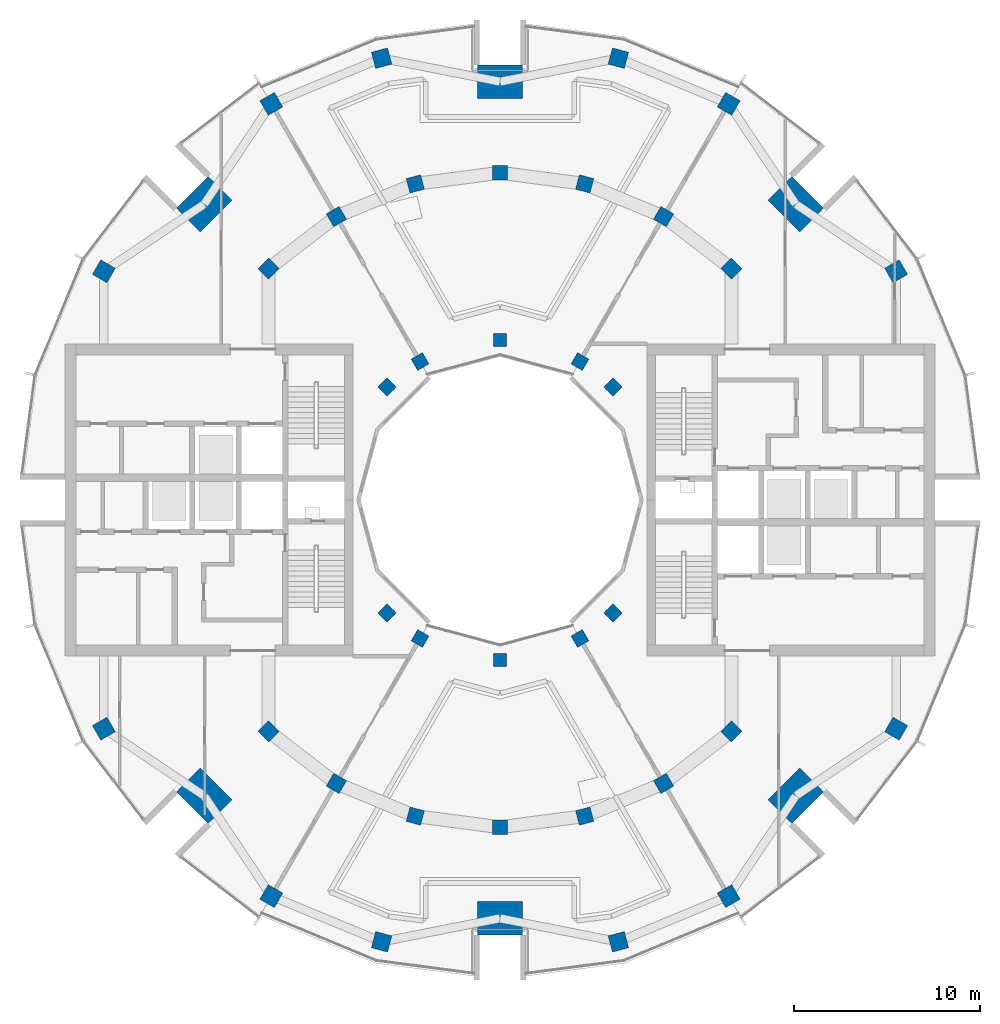
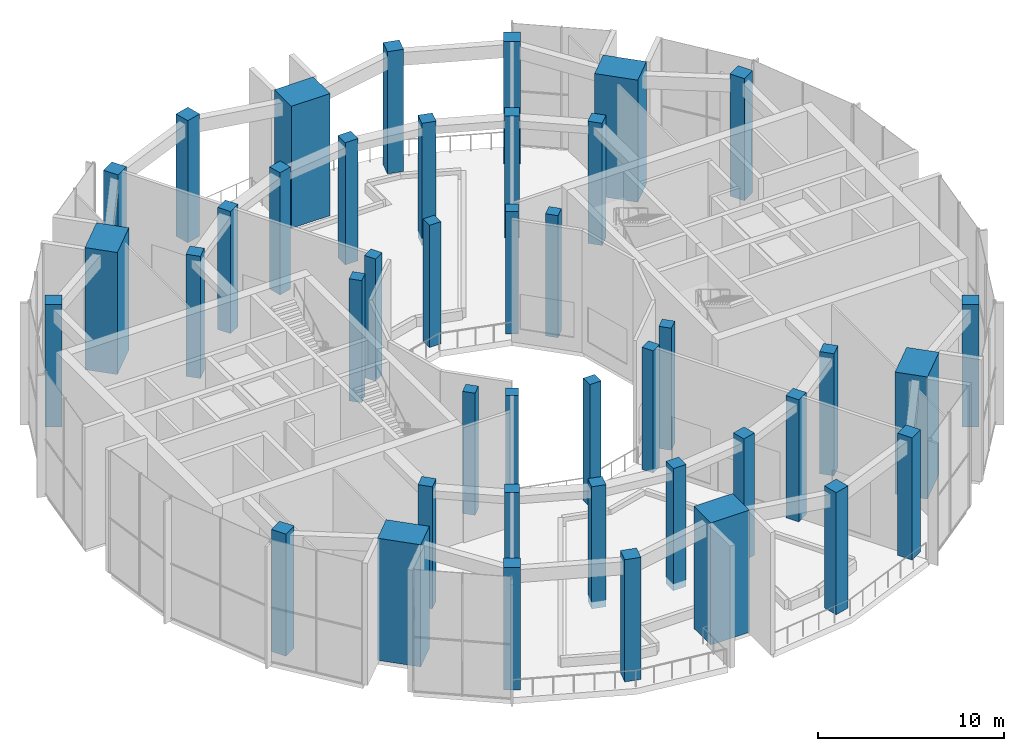
# One storey, part 1 of 18: 42 columns.
"""IFC4 building model written with IfcOpenShell, lengths in metres."""

from ifc_helpers import new_model, si_unit, direction, frame, origin, origin_2d, place, context, subcontext, project, spatial, rectangle, extrude, material, material_profile, profile_set, type_object, element, save


model = new_model("IFC4")

# Units and contexts
model_context = context("Model", 3, precision=1e-05, world=origin(), true_north=direction((0.0, 1.0)))
body_context = subcontext(model_context, "Body", "Model", "MODEL_VIEW")
ifc_project = project(units=[si_unit("LENGTHUNIT", "METRE"), si_unit("AREAUNIT", "SQUARE_METRE"), si_unit("VOLUMEUNIT", "CUBIC_METRE"), si_unit("PLANEANGLEUNIT", "RADIAN"), si_unit("MASSUNIT", "GRAM", prefix="KILO")], contexts=[model_context])

# Site, building, storey
site_placement = place(None, origin())
site = spatial("IfcSite", under=ifc_project, at=site_placement, CompositionType="ELEMENT")
building_placement = place(site_placement, origin())
building = spatial("IfcBuilding", under=site, at=building_placement, Name="Torre Brocal", CompositionType="ELEMENT")
storey_placement = place(building_placement, frame((0.0, 0.0, 229.300048828125)))
storey = spatial("IfcBuildingStorey", under=building, at=storey_placement, Name="L53", CompositionType="ELEMENT", Elevation=229.300048828125)

# Columns
ifc_material_1 = material(Name="Concrete C60", Category="concrete")
ifc_material_profile_1 = material_profile(ifc_material_1, rectangle(XDim=1.800048828125, YDim=2.39990234375, at=origin_2d()), Name="RC 1800X2400")
ifc_profile_set_1 = profile_set([ifc_material_profile_1], Name="Concrete C60")
column_type_1 = type_object("IfcColumnType", Name="RC COLUMN 1800X2400 C60", PredefinedType="COLUMN", material=ifc_profile_set_1)
for number, where, z_axis, x_axis, name in (
    (1, (95.909912109375, 90.909912109375, 0.0), (0.0, 0.0, 1.0), (0.707106781187, 0.707106781187, 0.0), "Column MC-1"),
    (2, (80.0, 97.5, 0.0), (0.0, 0.0, 1.0), (0.0, 1.0, 0.0), "Column MC-2"),
    (3, (64.090087890625, 90.909912109375, 0.0), (0.0, 0.0, 1.0), (-0.707106781187, 0.707106781187, 0.0), "Column MC-3"),
    (4, (64.090087890625, 59.090087890625, 0.0), (0.0, 0.0, 1.0), (-0.707106781187, -0.707106781187, 0.0), "Column MC-5"),
    (5, (80.0, 52.5, 0.0), (0.0, 0.0, 1.0), (0.0, -1.0, 0.0), "Column MC-6"),
    (6, (95.909912109375, 59.090087890625, 0.0), (0.0, 0.0, 1.0), (0.707106781187, -0.707106781187, 0.0), "Column MC-7"),
):
    element("IfcColumn", number, at=place(storey_placement, frame(where, z_axis=z_axis, x_axis=x_axis)), inside=storey, type_object=column_type_1, Name=name, PredefinedType="COLUMN", context=body_context, shape_type="SweptSolid", body=[
        extrude(rectangle(XDim=1.800048828125, YDim=2.39990234375, at=origin_2d()), origin(), (0.0, 0.0, 1.0), 8.0),
    ])
ifc_material_2 = material(Name="Concrete C60", Category="concrete")
ifc_material_profile_2 = material_profile(ifc_material_2, rectangle(XDim=0.699951171875, YDim=0.699951171875, at=origin_2d()), Name="RC 700X700")
ifc_profile_set_2 = profile_set([ifc_material_profile_2], Name="Concrete C60")
column_type_2 = type_object("IfcColumnType", Name="RC COLUMN 700X700 C60", PredefinedType="COLUMN", material=ifc_profile_set_2)
for number, where, z_axis, x_axis, name in (
    (7, (86.0810546875, 81.0810546875, 0.0), (0.0, 0.0, 1.0), (0.707106781187, 0.707106781187, 0.0), "Column C-I03"),
    (8, (84.300048828125, 82.44775390625, 0.0), (0.0, 0.0, 1.0), (0.5, 0.866025403784, 0.0), "Column C-I04"),
    (9, (80.0, 83.60009765625, 0.0), (0.0, 0.0, 1.0), (0.0, 1.0, 0.0), "Column C-I06"),
    (10, (75.699951171875, 82.44775390625, 0.0), (0.0, 0.0, 1.0), (-0.5, 0.866025403784, 0.0), "Column C-I08"),
    (11, (73.9189453125, 81.0810546875, 0.0), (0.0, 0.0, 1.0), (-0.707106781187, 0.707106781187, 0.0), "Column C-I09"),
    (12, (73.9189453125, 68.9189453125, 0.0), (0.0, 0.0, 1.0), (-0.707106781187, -0.707106781187, 0.0), "Column C-I15"),
    (13, (75.699951171875, 67.55224609375, 0.0), (0.0, 0.0, 1.0), (-0.5, -0.866025403784, 0.0), "Column C-I16"),
    (14, (80.0, 66.39990234375, 0.0), (0.0, 0.0, 1.0), (0.0, -1.0, 0.0), "Column C-I18"),
    (15, (84.300048828125, 67.55224609375, 0.0), (0.0, 0.0, 1.0), (0.5, -0.866025403784, 0.0), "Column C-I20"),
    (16, (86.0810546875, 68.9189453125, 0.0), (0.0, 0.0, 1.0), (0.707106781187, -0.707106781187, 0.0), "Column C-I21"),
):
    element("IfcColumn", number, at=place(storey_placement, frame(where, z_axis=z_axis, x_axis=x_axis)), inside=storey, type_object=column_type_2, Name=name, PredefinedType="COLUMN", context=body_context, shape_type="SweptSolid", body=[
        extrude(rectangle(XDim=0.699951171875, YDim=0.699951171875, at=origin_2d()), origin(), (0.0, 0.0, 1.0), 8.0),
    ])
ifc_material_3 = material(Name="Concrete C60", Category="concrete")
ifc_material_profile_3 = material_profile(ifc_material_3, rectangle(XDim=0.800048828125, YDim=0.800048828125, at=origin_2d()), Name="RC 800X800")
ifc_profile_set_3 = profile_set([ifc_material_profile_3], Name="Concrete C60")
column_type_3 = type_object("IfcColumnType", Name="RC COLUMN 800X800 C60", PredefinedType="COLUMN", material=ifc_profile_set_3)
for number, where, z_axis, x_axis, name in (
    (17, (92.445068359375, 87.445068359375, 0.0), (0.0, 0.0, 1.0), (0.707106781187, 0.707106781187, 0.0), "Column C-M03"),
    (18, (88.800048828125, 90.241943359375, 0.0), (0.0, 0.0, 1.0), (0.5, 0.866025403784, 0.0), "Column C-M04"),
    (19, (84.55517578125, 92.000244140625, 0.0), (0.0, 0.0, 1.0), (0.258819045103, 0.965925826289, 0.0), "Column C-M05"),
    (20, (80.0, 92.60009765625, 0.0), (0.0, 0.0, 1.0), (0.0, 1.0, 0.0), "Column C-M06"),
    (21, (75.44482421875, 92.000244140625, 0.0), (0.0, 0.0, 1.0), (-0.258819045103, 0.965925826289, 0.0), "Column C-M07"),
    (22, (71.199951171875, 90.241943359375, 0.0), (0.0, 0.0, 1.0), (-0.5, 0.866025403784, 0.0), "Column C-M08"),
    (23, (67.554931640625, 87.445068359375, 0.0), (0.0, 0.0, 1.0), (-0.707106781187, 0.707106781187, 0.0), "Column C-M09"),
    (24, (67.554931640625, 62.554931640625, 0.0), (0.0, 0.0, 1.0), (-0.707106781187, -0.707106781187, 0.0), "Column C-M15"),
    (25, (71.199951171875, 59.758056640625, 0.0), (0.0, 0.0, 1.0), (-0.5, -0.866025403784, 0.0), "Column C-M16"),
    (26, (75.44482421875, 57.999755859375, 0.0), (0.0, 0.0, 1.0), (-0.258819045103, -0.965925826289, 0.0), "Column C-M17"),
    (27, (80.0, 57.39990234375, 0.0), (0.0, 0.0, 1.0), (0.0, -1.0, 0.0), "Column C-M18"),
    (28, (84.55517578125, 57.999755859375, 0.0), (0.0, 0.0, 1.0), (0.258819045103, -0.965925826289, 0.0), "Column C-M19"),
    (29, (88.800048828125, 59.758056640625, 0.0), (0.0, 0.0, 1.0), (0.5, -0.866025403784, 0.0), "Column C-M20"),
    (30, (92.445068359375, 62.554931640625, 0.0), (0.0, 0.0, 1.0), (0.707106781187, -0.707106781187, 0.0), "Column C-M21"),
):
    element("IfcColumn", number, at=place(storey_placement, frame(where, z_axis=z_axis, x_axis=x_axis)), inside=storey, type_object=column_type_3, Name=name, PredefinedType="COLUMN", context=body_context, shape_type="SweptSolid", body=[
        extrude(rectangle(XDim=0.800048828125, YDim=0.800048828125, at=origin_2d()), origin(), (0.0, 0.0, 1.0), 8.0),
    ])
ifc_material_4 = material(Name="Concrete C60", Category="concrete")
ifc_material_profile_4 = material_profile(ifc_material_4, rectangle(XDim=0.89990234375, YDim=0.89990234375, at=origin_2d()), Name="RC 900X900")
ifc_profile_set_4 = profile_set([ifc_material_profile_4], Name="Concrete C60")
column_type_4 = type_object("IfcColumnType", Name="RC COLUMN 900X900 C60", PredefinedType="COLUMN", material=ifc_profile_set_4)
for number, where, z_axis, x_axis, name in (
    (31, (101.30419921875, 87.300048828125, 0.0), (0.0, 0.0, 1.0), (0.866025403784, 0.5, 0.0), "Column C-O02"),
    (32, (92.300048828125, 96.30419921875, 0.0), (0.0, 0.0, 1.0), (0.5, 0.866025403784, 0.0), "Column C-O04"),
    (33, (86.366943359375, 98.76171875, 0.0), (0.0, 0.0, 1.0), (0.258819045103, 0.965925826289, 0.0), "Column C-O05"),
    (34, (73.633056640625, 98.76171875, 0.0), (0.0, 0.0, 1.0), (-0.258819045103, 0.965925826289, 0.0), "Column C-O07"),
    (35, (67.699951171875, 96.30419921875, 0.0), (0.0, 0.0, 1.0), (-0.5, 0.866025403784, 0.0), "Column C-O08"),
    (36, (58.69580078125, 87.300048828125, 0.0), (0.0, 0.0, 1.0), (-0.866025403784, 0.5, 0.0), "Column C-O10"),
    (37, (58.69580078125, 62.699951171875, 0.0), (0.0, 0.0, 1.0), (-0.866025403784, -0.5, 0.0), "Column C-O14"),
    (38, (67.699951171875, 53.69580078125, 0.0), (0.0, 0.0, 1.0), (-0.5, -0.866025403784, 0.0), "Column C-O16"),
    (39, (73.633056640625, 51.23828125, 0.0), (0.0, 0.0, 1.0), (-0.258819045103, -0.965925826289, 0.0), "Column C-O17"),
    (40, (86.366943359375, 51.23828125, 0.0), (0.0, 0.0, 1.0), (0.258819045103, -0.965925826289, 0.0), "Column C-O19"),
    (41, (92.300048828125, 53.69580078125, 0.0), (0.0, 0.0, 1.0), (0.5, -0.866025403784, 0.0), "Column C-O20"),
    (42, (101.30419921875, 62.699951171875, 0.0), (0.0, 0.0, 1.0), (0.866025403784, -0.5, 0.0), "Column C-O22"),
):
    element("IfcColumn", number, at=place(storey_placement, frame(where, z_axis=z_axis, x_axis=x_axis)), inside=storey, type_object=column_type_4, Name=name, PredefinedType="COLUMN", context=body_context, shape_type="SweptSolid", body=[
        extrude(rectangle(XDim=0.89990234375, YDim=0.89990234375, at=origin_2d()), origin(), (0.0, 0.0, 1.0), 8.0),
    ])

save(model, "model.ifc")
